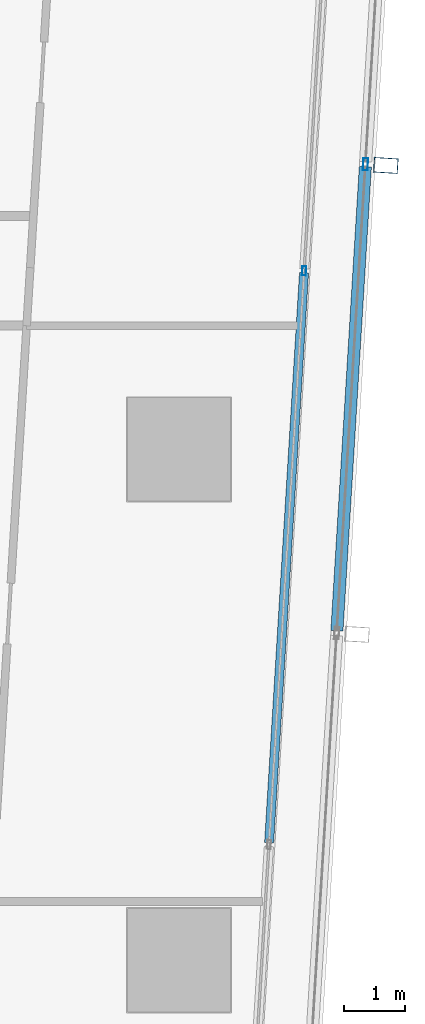
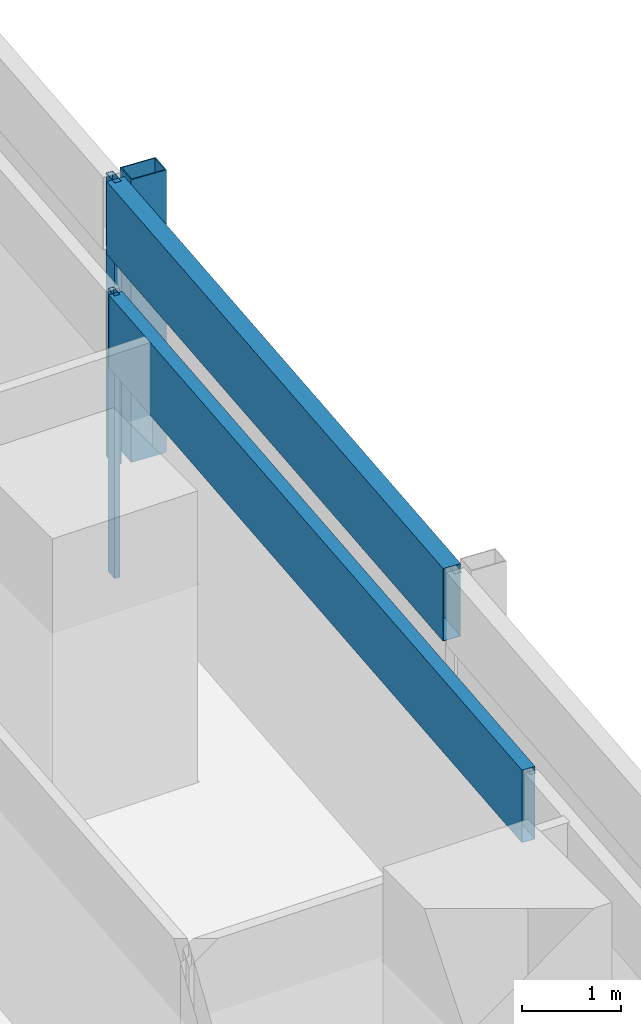
# One storey, part 24 of 40: 5 members, 2 elements without a shape of their own.
"""IFC4 building model written with IfcOpenShell, lengths in metres."""

from ifc_helpers import new_model, si_unit, direction, frame, origin, origin_2d, place, context, subcontext, project, spatial, hollow_rectangle, extrude, material, material_profile, profile_set, type_object, element, aggregate, save


model = new_model("IFC4")

# Units and contexts
model_context = context("Model", 3, precision=1e-05, world=origin(), true_north=direction((0.0, 1.0)))
body_context = subcontext(model_context, "Body", "Model", "MODEL_VIEW")
ifc_project = project(units=[si_unit("LENGTHUNIT", "METRE"), si_unit("AREAUNIT", "SQUARE_METRE"), si_unit("VOLUMEUNIT", "CUBIC_METRE"), si_unit("PLANEANGLEUNIT", "RADIAN"), si_unit("MASSUNIT", "GRAM", prefix="KILO")], contexts=[model_context])

# Site, building, storey
site_placement = place(None, origin())
site = spatial("IfcSite", under=ifc_project, at=site_placement, CompositionType="ELEMENT")
building_placement = place(site_placement, origin())
building = spatial("IfcBuilding", under=site, at=building_placement, Name="Rekha Terrace Tower", CompositionType="ELEMENT")
storey_placement = place(building_placement, frame((0.0, 0.0, 110.300048828125)))
storey = spatial("IfcBuildingStorey", under=building, at=storey_placement, Name="L27", CompositionType="ELEMENT", Elevation=110.300048828125)

# Curtain wall, member
ifc_material_1 = material(Name="Aluminium framing", Category="aluminium")
curtain_wall_type_1 = type_object("IfcCurtainWallType", Name="CW2 double skin outer glazing", PredefinedType="USERDEFINED", material=ifc_material_1)
curtain_wall_1_placement = place(storey_placement, origin())
curtain_wall_1 = element("IfcCurtainWall", 1, at=curtain_wall_1_placement, inside=storey, type_object=curtain_wall_type_1, Name="CW2 double skin outer glazing", ObjectType="DOUBLE SKIN OUTER GLAZING", PredefinedType="USERDEFINED")
ifc_material_2 = material(Name="Steel S355 with fluorocarbon finish", Category="steel")
ifc_material_profile_1 = material_profile(ifc_material_2, hollow_rectangle(XDim=0.25, YDim=0.39990234375, WallThickness=0.012451171875, at=origin_2d()), Name="RHS400x250x12.5")
ifc_profile_set_1 = profile_set([ifc_material_profile_1], Name="Steel S355 with fluorocarbon finish")
member_type_1 = type_object("IfcMemberType", Name="BL1 facade blade RHS 400 x 250", PredefinedType="USERDEFINED", material=ifc_profile_set_1)
member_1_placement = place(storey_placement, frame((70.601318359375, 38.27001953125, 0.0), z_axis=(0.0, 0.0, 1.0), x_axis=(0.061160031881, 0.998127973008, 0.0)))
member_1 = element("IfcMember", 2, at=member_1_placement, type_object=member_type_1, Name="Facade blade", ObjectType="FACADE BLADE", PredefinedType="USERDEFINED", context=body_context, shape_type="SweptSolid", body=[
    extrude(hollow_rectangle(XDim=0.25, YDim=0.39990234375, WallThickness=0.012451171875, at=origin_2d()), origin(), (0.0, 0.0, 1.0), 3.5),
])

# Curtain wall, members
curtain_wall_type_2 = type_object("IfcCurtainWallType", Name="CW1 double skin inner glazing", PredefinedType="USERDEFINED", material=ifc_material_1)
curtain_wall_2_placement = place(storey_placement, origin())
curtain_wall_2 = element("IfcCurtainWall", 3, at=curtain_wall_2_placement, inside=storey, type_object=curtain_wall_type_2, Name="CW1 double skin inner glazing", ObjectType="DOUBLE SKIN INNER GLAZING", PredefinedType="USERDEFINED")
ifc_material_3 = material(Name="Aluminium mullion section", Category="aluminium")
ifc_material_profile_2 = material_profile(ifc_material_3, hollow_rectangle(XDim=0.06494140625, YDim=0.14990234375, WallThickness=0.00390625, at=origin_2d()), Name="AL RHS 65x150")
ifc_profile_set_2 = profile_set([ifc_material_profile_2], Name="Aluminium mullion section")
member_type_2 = type_object("IfcMemberType", Name="CW1 mullion RHS 65 x 150", PredefinedType="MULLION", material=ifc_profile_set_2)
member_2_placement = place(storey_placement, frame((69.257568359375, 36.53662109375, 0.0), z_axis=(0.0, 0.0, 1.0), x_axis=(-0.998127987024, 0.061159803131, 0.0)))
member_2 = element("IfcMember", 4, at=member_2_placement, type_object=member_type_2, Name="CW1 mullion 3", PredefinedType="MULLION", context=body_context, shape_type="SweptSolid", body=[
    extrude(hollow_rectangle(XDim=0.06494140625, YDim=0.14990234375, WallThickness=0.00390625, at=origin_2d()), origin(), (0.0, 0.0, 1.0), 3.5),
])
ifc_material_4 = material(Name="Insulated aluminium spandrel box", Category="aluminium")
ifc_material_profile_3 = material_profile(ifc_material_4, hollow_rectangle(XDim=0.14990234375, YDim=0.89990234375, WallThickness=0.0029296875, at=origin_2d()), Name="AL SPANDREL BOX 150x900")
ifc_profile_set_3 = profile_set([ifc_material_profile_3], Name="Insulated aluminium spandrel box")
member_type_3 = type_object("IfcMemberType", Name="CW1 spandrel transom 150 x 900", PredefinedType="USERDEFINED", material=ifc_profile_set_3)
member_3_placement = place(storey_placement, frame((68.681640625, 27.13427734375, 3.050048828125), z_axis=(0.061141260248, 0.998129123057, 0.0), x_axis=(-0.998129123057, 0.061141260248, 0.0)))
member_3 = element("IfcMember", 5, at=member_3_placement, type_object=member_type_3, Name="CW1 spandrel transom 2", ObjectType="TRANSOM", PredefinedType="USERDEFINED", context=body_context, shape_type="SweptSolid", body=[
    extrude(hollow_rectangle(XDim=0.14990234375, YDim=0.89990234375, WallThickness=0.0029296875, at=origin_2d()), origin(), (0.0, 0.0, 1.0), 9.3876953125),
])
aggregate(curtain_wall_2, [member_2, member_3])

# Member
ifc_material_profile_4 = material_profile(ifc_material_3, hollow_rectangle(XDim=0.080078125, YDim=0.199951171875, WallThickness=0.00390625, at=origin_2d()), Name="AL RHS 80x200")
ifc_profile_set_4 = profile_set([ifc_material_profile_4], Name="Aluminium mullion section")
member_type_4 = type_object("IfcMemberType", Name="CW2 mullion RHS 80 x 200", PredefinedType="MULLION", material=ifc_profile_set_4)
member_4_placement = place(storey_placement, frame((70.266845703125, 38.29052734375, 0.0), z_axis=(0.0, 0.0, 1.0), x_axis=(-0.998127987024, 0.061159803131, 0.0)))
member_4 = element("IfcMember", 6, at=member_4_placement, type_object=member_type_4, Name="CW2 mullion 4", PredefinedType="MULLION", context=body_context, shape_type="SweptSolid", body=[
    extrude(hollow_rectangle(XDim=0.080078125, YDim=0.199951171875, WallThickness=0.00390625, at=origin_2d()), origin(), (0.0, 0.0, 1.0), 3.5),
])

ifc_material_profile_5 = material_profile(ifc_material_4, hollow_rectangle(XDim=0.199951171875, YDim=0.89990234375, WallThickness=0.0029296875, at=origin_2d()), Name="AL SPANDREL BOX 200x900")
ifc_profile_set_5 = profile_set([ifc_material_profile_5], Name="Insulated aluminium spandrel box")
member_type_5 = type_object("IfcMemberType", Name="CW2 spandrel transom 200 x 900", PredefinedType="USERDEFINED", material=ifc_profile_set_5)
member_5_placement = place(storey_placement, frame((69.796630859375, 30.618408203125, 3.050048828125), z_axis=(0.061175629852, 0.998127017124, 0.0), x_axis=(-0.998127017124, 0.061175629852, 0.0)))
member_5 = element("IfcMember", 7, at=member_5_placement, type_object=member_type_5, Name="CW2 spandrel transom 3", ObjectType="TRANSOM", PredefinedType="USERDEFINED", context=body_context, shape_type="SweptSolid", body=[
    extrude(hollow_rectangle(XDim=0.199951171875, YDim=0.89990234375, WallThickness=0.0029296875, at=origin_2d()), origin(), (0.0, 0.0, 1.0), 7.646484375),
])

aggregate(curtain_wall_1, [member_4, member_5, member_1])

save(model, "model.ifc")
